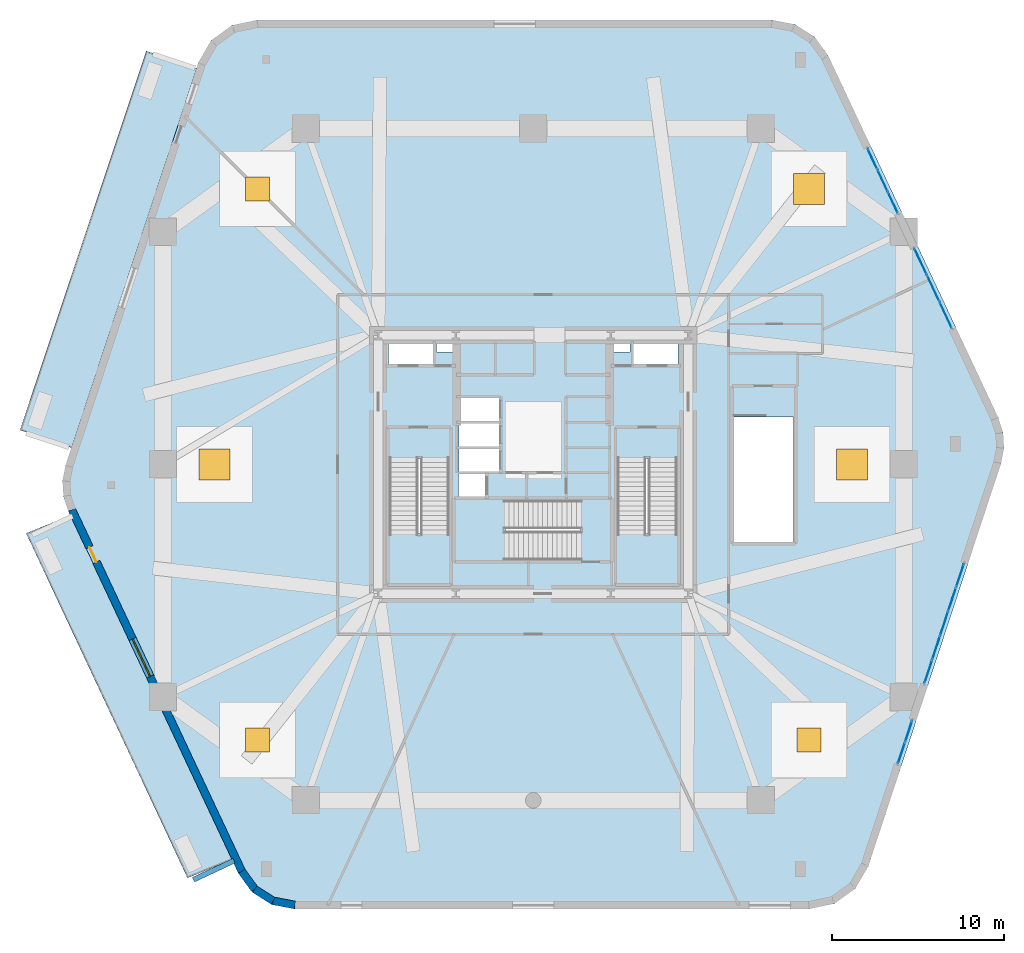
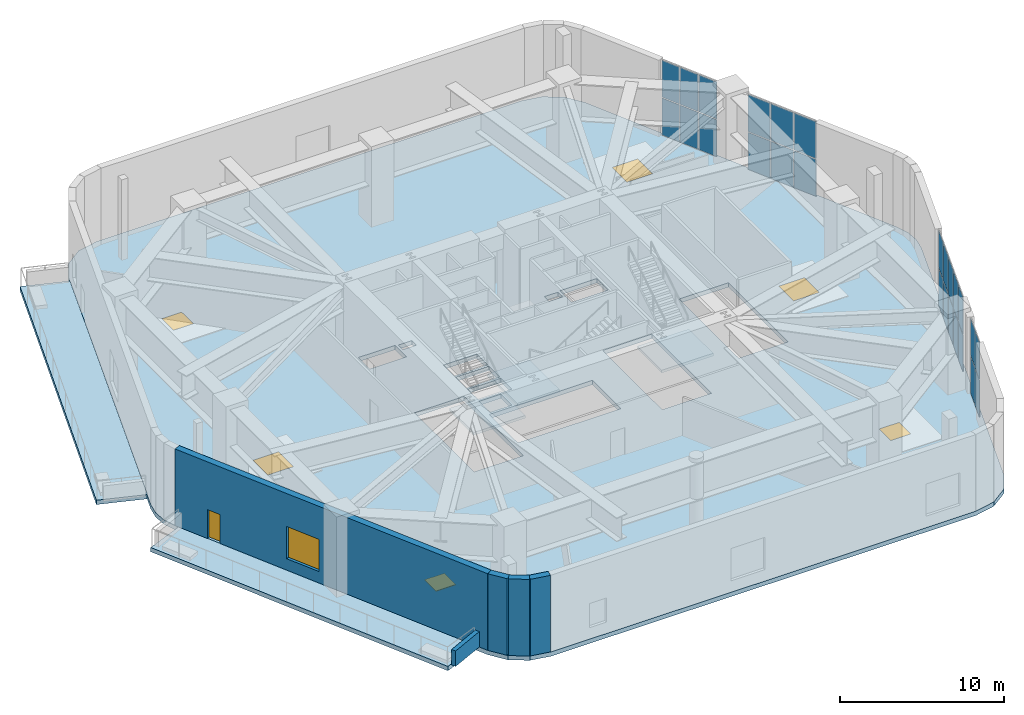
# One storey, part 7 of 14: 26 plates, 7 windows, 6 slabs, 5 walls, 1 door, 8 openings, 7 elements without a shape of their own.
"""IFC4 building model written with IfcOpenShell, lengths in metres."""

from ifc_helpers import new_model, si_unit, direction, frame, frame_2d, origin, origin_2d, place, context, subcontext, project, spatial, polyline, rectangle, outline, extrude, material, layer, layer_set, type_object, element, fill, aggregate, save


model = new_model("IFC4")

# Units and contexts
model_context = context("Model", 3, precision=1e-05, world=origin(), true_north=direction((0.0, 1.0)))
body_context = subcontext(model_context, "Body", "Model", "MODEL_VIEW")
ifc_project = project(units=[si_unit("LENGTHUNIT", "METRE"), si_unit("AREAUNIT", "SQUARE_METRE"), si_unit("VOLUMEUNIT", "CUBIC_METRE"), si_unit("PLANEANGLEUNIT", "RADIAN"), si_unit("MASSUNIT", "GRAM", prefix="KILO")], contexts=[model_context])

# Site, building, storey
site_placement = place(None, origin())
site = spatial("IfcSite", under=ifc_project, at=site_placement, CompositionType="ELEMENT")
building_placement = place(site_placement, origin())
building = spatial("IfcBuilding", under=site, at=building_placement, Name="Kilnhurst Terrace Hotel", CompositionType="ELEMENT")
storey_placement = place(building_placement, frame((0.0, 0.0, 28.199951171875)))
storey = spatial("IfcBuildingStorey", under=building, at=storey_placement, Name="L05", CompositionType="ELEMENT", Elevation=28.199951171875)

# Curtain wall, plates
ifc_material_1 = material(Name="Anodized Aluminium Alloy 6063-T6 and Low-E Glass", Category="aluminium")
ifc_layer_1 = layer(ifc_material_1, 0.219970703125, Name="Anodized Aluminium Alloy 6063-T6 and Low-E Glass")
ifc_layer_set_1 = layer_set([ifc_layer_1], Name="Anodized Aluminium Alloy 6063-T6 and Low-E Glass")
curtain_wall_type = type_object("IfcCurtainWallType", Name="CW-POD-TERR", PredefinedType="NOTDEFINED", material=ifc_layer_set_1)
curtain_wall_1_placement = place(storey_placement, origin())
curtain_wall_1 = element("IfcCurtainWall", 1, at=curtain_wall_1_placement, inside=storey, type_object=curtain_wall_type, Name="L05 Curtain Wall CW-L05-F2-1", PredefinedType="NOTDEFINED")
ifc_material_2 = material(Name="Triple Laminated Low-E Hurricane Insulated Glass", Category="glass")
ifc_layer_2 = layer(ifc_material_2, 0.031982421875, Name="Triple Laminated Low-E Hurricane Insulated Glass")
ifc_layer_set_2 = layer_set([ifc_layer_2], Name="Triple Laminated Low-E Hurricane Insulated Glass")
plate_type = type_object("IfcPlateType", Name="PNL-GLZ-32", PredefinedType="CURTAIN_PANEL", material=ifc_layer_set_2)
plate_1_placement = place(storey_placement, frame((21.379638671875, -16.737548828125, 0.070068359375), z_axis=(0.0, 0.0, 1.0), x_axis=(0.313000990627, 0.949752799347, 0.0)))
plate_1 = element("IfcPlate", 2, at=plate_1_placement, type_object=plate_type, Name="CWT-2 panel 1.1", PredefinedType="CURTAIN_PANEL", context=body_context, shape_type="SweptSolid", body=[
    extrude(rectangle(XDim=1.24853515625, YDim=0.031982421875, at=origin_2d()), origin(), (0.0, 0.0, 1.0), 2.7451171875),
])
plate_2_placement = place(storey_placement, frame((21.379638671875, -16.737548828125, 2.885009765625), z_axis=(0.0, 0.0, 1.0), x_axis=(0.313000990627, 0.949752799347, 0.0)))
plate_2 = element("IfcPlate", 3, at=plate_2_placement, type_object=plate_type, Name="CWT-2 panel 1.2", PredefinedType="CURTAIN_PANEL", context=body_context, shape_type="SweptSolid", body=[
    extrude(rectangle(XDim=1.24853515625, YDim=0.031982421875, at=origin_2d()), origin(), (0.0, 0.0, 1.0), 2.7451171875),
])
plate_3_placement = place(storey_placement, frame((21.79248046875, -15.485107421875, 0.070068359375), z_axis=(0.0, 0.0, 1.0), x_axis=(0.313000990627, 0.949752799347, 0.0)))
plate_3 = element("IfcPlate", 4, at=plate_3_placement, type_object=plate_type, Name="CWT-2 panel 2.1", PredefinedType="CURTAIN_PANEL", context=body_context, shape_type="SweptSolid", body=[
    extrude(rectangle(XDim=1.24853515625, YDim=0.031982421875, at=origin_2d()), origin(), (0.0, 0.0, 1.0), 2.7451171875),
])
plate_4_placement = place(storey_placement, frame((21.79248046875, -15.485107421875, 2.885009765625), z_axis=(0.0, 0.0, 1.0), x_axis=(0.313000990627, 0.949752799347, 0.0)))
plate_4 = element("IfcPlate", 5, at=plate_4_placement, type_object=plate_type, Name="CWT-2 panel 2.2", PredefinedType="CURTAIN_PANEL", context=body_context, shape_type="SweptSolid", body=[
    extrude(rectangle(XDim=1.24853515625, YDim=0.031982421875, at=origin_2d()), origin(), (0.0, 0.0, 1.0), 2.7451171875),
])
aggregate(curtain_wall_1, [plate_1, plate_2, plate_3, plate_4])

curtain_wall_2_placement = place(storey_placement, origin())
curtain_wall_2 = element("IfcCurtainWall", 6, at=curtain_wall_2_placement, inside=storey, type_object=curtain_wall_type, Name="L05 Curtain Wall CW-L05-F2-2", PredefinedType="NOTDEFINED")
plate_5_placement = place(storey_placement, frame((22.934814453125, -12.018310546875, 0.070068359375), z_axis=(0.0, 0.0, 1.0), x_axis=(0.312988254967, 0.949756996422, 0.0)))
plate_5 = element("IfcPlate", 7, at=plate_5_placement, type_object=plate_type, Name="CWT-2 panel 1.1", PredefinedType="CURTAIN_PANEL", context=body_context, shape_type="SweptSolid", body=[
    extrude(rectangle(XDim=1.3720703125, YDim=0.031982421875, at=origin_2d()), origin(), (0.0, 0.0, 1.0), 2.7451171875),
])
plate_6_placement = place(storey_placement, frame((22.934814453125, -12.018310546875, 2.885009765625), z_axis=(0.0, 0.0, 1.0), x_axis=(0.312988254967, 0.949756996422, 0.0)))
plate_6 = element("IfcPlate", 8, at=plate_6_placement, type_object=plate_type, Name="CWT-2 panel 1.2", PredefinedType="CURTAIN_PANEL", context=body_context, shape_type="SweptSolid", body=[
    extrude(rectangle(XDim=1.3720703125, YDim=0.031982421875, at=origin_2d()), origin(), (0.0, 0.0, 1.0), 2.7451171875),
])
plate_7_placement = place(storey_placement, frame((23.3916015625, -10.632080078125, 0.070068359375), z_axis=(0.0, 0.0, 1.0), x_axis=(0.312988254967, 0.949756996422, 0.0)))
plate_7 = element("IfcPlate", 9, at=plate_7_placement, type_object=plate_type, Name="CWT-2 panel 2.1", PredefinedType="CURTAIN_PANEL", context=body_context, shape_type="SweptSolid", body=[
    extrude(rectangle(XDim=1.406982421875, YDim=0.031982421875, at=origin_2d()), origin(), (0.0, 0.0, 1.0), 2.7451171875),
])
plate_8_placement = place(storey_placement, frame((23.3916015625, -10.632080078125, 2.885009765625), z_axis=(0.0, 0.0, 1.0), x_axis=(0.312988254967, 0.949756996422, 0.0)))
plate_8 = element("IfcPlate", 10, at=plate_8_placement, type_object=plate_type, Name="CWT-2 panel 2.2", PredefinedType="CURTAIN_PANEL", context=body_context, shape_type="SweptSolid", body=[
    extrude(rectangle(XDim=1.406982421875, YDim=0.031982421875, at=origin_2d()), origin(), (0.0, 0.0, 1.0), 2.7451171875),
])
plate_9_placement = place(storey_placement, frame((23.85400390625, -9.229248046875, 0.070068359375), z_axis=(0.0, 0.0, 1.0), x_axis=(0.312988254967, 0.949756996422, 0.0)))
plate_9 = element("IfcPlate", 11, at=plate_9_placement, type_object=plate_type, Name="CWT-2 panel 3.1", PredefinedType="CURTAIN_PANEL", context=body_context, shape_type="SweptSolid", body=[
    extrude(rectangle(XDim=1.406982421875, YDim=0.031982421875, at=origin_2d()), origin(), (0.0, 0.0, 1.0), 2.7451171875),
])
plate_10_placement = place(storey_placement, frame((23.85400390625, -9.229248046875, 2.885009765625), z_axis=(0.0, 0.0, 1.0), x_axis=(0.312988254967, 0.949756996422, 0.0)))
plate_10 = element("IfcPlate", 12, at=plate_10_placement, type_object=plate_type, Name="CWT-2 panel 3.2", PredefinedType="CURTAIN_PANEL", context=body_context, shape_type="SweptSolid", body=[
    extrude(rectangle(XDim=1.406982421875, YDim=0.031982421875, at=origin_2d()), origin(), (0.0, 0.0, 1.0), 2.7451171875),
])
plate_11_placement = place(storey_placement, frame((24.316162109375, -7.82666015625, 0.070068359375), z_axis=(0.0, 0.0, 1.0), x_axis=(0.312988254967, 0.949756996422, 0.0)))
plate_11 = element("IfcPlate", 13, at=plate_11_placement, type_object=plate_type, Name="CWT-2 panel 4.1", PredefinedType="CURTAIN_PANEL", context=body_context, shape_type="SweptSolid", body=[
    extrude(rectangle(XDim=1.406982421875, YDim=0.031982421875, at=origin_2d()), origin(), (0.0, 0.0, 1.0), 2.7451171875),
])
plate_12_placement = place(storey_placement, frame((24.316162109375, -7.82666015625, 2.885009765625), z_axis=(0.0, 0.0, 1.0), x_axis=(0.312988254967, 0.949756996422, 0.0)))
plate_12 = element("IfcPlate", 14, at=plate_12_placement, type_object=plate_type, Name="CWT-2 panel 4.2", PredefinedType="CURTAIN_PANEL", context=body_context, shape_type="SweptSolid", body=[
    extrude(rectangle(XDim=1.406982421875, YDim=0.031982421875, at=origin_2d()), origin(), (0.0, 0.0, 1.0), 2.7451171875),
])
plate_13_placement = place(storey_placement, frame((24.773193359375, -6.4404296875, 0.070068359375), z_axis=(0.0, 0.0, 1.0), x_axis=(0.312988254967, 0.949756996422, 0.0)))
plate_13 = element("IfcPlate", 15, at=plate_13_placement, type_object=plate_type, Name="CWT-2 panel 5.1", PredefinedType="CURTAIN_PANEL", context=body_context, shape_type="SweptSolid", body=[
    extrude(rectangle(XDim=1.3720703125, YDim=0.031982421875, at=origin_2d()), origin(), (0.0, 0.0, 1.0), 2.7451171875),
])
plate_14_placement = place(storey_placement, frame((24.773193359375, -6.4404296875, 2.885009765625), z_axis=(0.0, 0.0, 1.0), x_axis=(0.312988254967, 0.949756996422, 0.0)))
plate_14 = element("IfcPlate", 16, at=plate_14_placement, type_object=plate_type, Name="CWT-2 panel 5.2", PredefinedType="CURTAIN_PANEL", context=body_context, shape_type="SweptSolid", body=[
    extrude(rectangle(XDim=1.3720703125, YDim=0.031982421875, at=origin_2d()), origin(), (0.0, 0.0, 1.0), 2.7451171875),
])
aggregate(curtain_wall_2, [plate_5, plate_6, plate_7, plate_8, plate_9, plate_10, plate_11, plate_12, plate_13, plate_14])

curtain_wall_3_placement = place(storey_placement, origin())
curtain_wall_3 = element("IfcCurtainWall", 17, at=curtain_wall_3_placement, inside=storey, type_object=curtain_wall_type, Name="L05 Curtain Wall CW-L05-F3-1", PredefinedType="NOTDEFINED")
plate_15_placement = place(storey_placement, frame((23.941650390625, 8.677001953125, 0.070068359375), z_axis=(0.0, 0.0, 1.0), x_axis=(-0.42520158694, 0.905098674435, 0.0)))
plate_15 = element("IfcPlate", 18, at=plate_15_placement, type_object=plate_type, Name="CWT-2 panel 1.1", PredefinedType="CURTAIN_PANEL", context=body_context, shape_type="SweptSolid", body=[
    extrude(rectangle(XDim=1.623291015625, YDim=0.031982421875, at=origin_2d()), origin(), (0.0, 0.0, 1.0), 2.7451171875),
])
plate_16_placement = place(storey_placement, frame((23.941650390625, 8.677001953125, 2.885009765625), z_axis=(0.0, 0.0, 1.0), x_axis=(-0.42520158694, 0.905098674435, 0.0)))
plate_16 = element("IfcPlate", 19, at=plate_16_placement, type_object=plate_type, Name="CWT-2 panel 1.2", PredefinedType="CURTAIN_PANEL", context=body_context, shape_type="SweptSolid", body=[
    extrude(rectangle(XDim=1.623291015625, YDim=0.031982421875, at=origin_2d()), origin(), (0.0, 0.0, 1.0), 2.7451171875),
])
plate_17_placement = place(storey_placement, frame((23.21435546875, 10.225341796875, 0.070068359375), z_axis=(0.0, 0.0, 1.0), x_axis=(-0.42520158694, 0.905098674435, 0.0)))
plate_17 = element("IfcPlate", 20, at=plate_17_placement, type_object=plate_type, Name="CWT-2 panel 2.1", PredefinedType="CURTAIN_PANEL", context=body_context, shape_type="SweptSolid", body=[
    extrude(rectangle(XDim=1.658447265625, YDim=0.031982421875, at=origin_2d()), origin(), (0.0, 0.0, 1.0), 2.7451171875),
])
plate_18_placement = place(storey_placement, frame((23.21435546875, 10.225341796875, 2.885009765625), z_axis=(0.0, 0.0, 1.0), x_axis=(-0.42520158694, 0.905098674435, 0.0)))
plate_18 = element("IfcPlate", 21, at=plate_18_placement, type_object=plate_type, Name="CWT-2 panel 2.2", PredefinedType="CURTAIN_PANEL", context=body_context, shape_type="SweptSolid", body=[
    extrude(rectangle(XDim=1.658447265625, YDim=0.031982421875, at=origin_2d()), origin(), (0.0, 0.0, 1.0), 2.7451171875),
])
plate_19_placement = place(storey_placement, frame((22.48681640625, 11.77392578125, 0.070068359375), z_axis=(0.0, 0.0, 1.0), x_axis=(-0.42520158694, 0.905098674435, 0.0)))
plate_19 = element("IfcPlate", 22, at=plate_19_placement, type_object=plate_type, Name="CWT-2 panel 3.1", PredefinedType="CURTAIN_PANEL", context=body_context, shape_type="SweptSolid", body=[
    extrude(rectangle(XDim=1.623291015625, YDim=0.031982421875, at=origin_2d()), origin(), (0.0, 0.0, 1.0), 2.7451171875),
])
plate_20_placement = place(storey_placement, frame((22.48681640625, 11.77392578125, 2.885009765625), z_axis=(0.0, 0.0, 1.0), x_axis=(-0.42520158694, 0.905098674435, 0.0)))
plate_20 = element("IfcPlate", 23, at=plate_20_placement, type_object=plate_type, Name="CWT-2 panel 3.2", PredefinedType="CURTAIN_PANEL", context=body_context, shape_type="SweptSolid", body=[
    extrude(rectangle(XDim=1.623291015625, YDim=0.031982421875, at=origin_2d()), origin(), (0.0, 0.0, 1.0), 2.7451171875),
])
aggregate(curtain_wall_3, [plate_15, plate_16, plate_17, plate_18, plate_19, plate_20])

curtain_wall_4_placement = place(storey_placement, origin())
curtain_wall_4 = element("IfcCurtainWall", 24, at=curtain_wall_4_placement, inside=storey, type_object=curtain_wall_type, Name="L05 Curtain Wall CW-L05-F3-2", PredefinedType="NOTDEFINED")
plate_21_placement = place(storey_placement, frame((20.870849609375, 15.21337890625, 0.070068359375), z_axis=(0.0, 0.0, 1.0), x_axis=(-0.425206120691, 0.905096544534, 0.0)))
plate_21 = element("IfcPlate", 25, at=plate_21_placement, type_object=plate_type, Name="CWT-2 panel 1.1", PredefinedType="CURTAIN_PANEL", context=body_context, shape_type="SweptSolid", body=[
    extrude(rectangle(XDim=1.296875, YDim=0.031982421875, at=origin_2d()), origin(), (0.0, 0.0, 1.0), 2.7451171875),
])
plate_22_placement = place(storey_placement, frame((20.870849609375, 15.21337890625, 2.885009765625), z_axis=(0.0, 0.0, 1.0), x_axis=(-0.425206120691, 0.905096544534, 0.0)))
plate_22 = element("IfcPlate", 26, at=plate_22_placement, type_object=plate_type, Name="CWT-2 panel 1.2", PredefinedType="CURTAIN_PANEL", context=body_context, shape_type="SweptSolid", body=[
    extrude(rectangle(XDim=1.296875, YDim=0.031982421875, at=origin_2d()), origin(), (0.0, 0.0, 1.0), 2.7451171875),
])
plate_23_placement = place(storey_placement, frame((20.2822265625, 16.466552734375, 0.070068359375), z_axis=(0.0, 0.0, 1.0), x_axis=(-0.425206120691, 0.905096544534, 0.0)))
plate_23 = element("IfcPlate", 27, at=plate_23_placement, type_object=plate_type, Name="CWT-2 panel 2.1", PredefinedType="CURTAIN_PANEL", context=body_context, shape_type="SweptSolid", body=[
    extrude(rectangle(XDim=1.33203125, YDim=0.031982421875, at=origin_2d()), origin(), (0.0, 0.0, 1.0), 2.7451171875),
])
plate_24_placement = place(storey_placement, frame((20.2822265625, 16.466552734375, 2.885009765625), z_axis=(0.0, 0.0, 1.0), x_axis=(-0.425206120691, 0.905096544534, 0.0)))
plate_24 = element("IfcPlate", 28, at=plate_24_placement, type_object=plate_type, Name="CWT-2 panel 2.2", PredefinedType="CURTAIN_PANEL", context=body_context, shape_type="SweptSolid", body=[
    extrude(rectangle(XDim=1.33203125, YDim=0.031982421875, at=origin_2d()), origin(), (0.0, 0.0, 1.0), 2.7451171875),
])
plate_25_placement = place(storey_placement, frame((19.693603515625, 17.719482421875, 0.070068359375), z_axis=(0.0, 0.0, 1.0), x_axis=(-0.425206120691, 0.905096544534, 0.0)))
plate_25 = element("IfcPlate", 29, at=plate_25_placement, type_object=plate_type, Name="CWT-2 panel 3.1", PredefinedType="CURTAIN_PANEL", context=body_context, shape_type="SweptSolid", body=[
    extrude(rectangle(XDim=1.296875, YDim=0.031982421875, at=origin_2d()), origin(), (0.0, 0.0, 1.0), 2.7451171875),
])
plate_26_placement = place(storey_placement, frame((19.693603515625, 17.719482421875, 2.885009765625), z_axis=(0.0, 0.0, 1.0), x_axis=(-0.425206120691, 0.905096544534, 0.0)))
plate_26 = element("IfcPlate", 30, at=plate_26_placement, type_object=plate_type, Name="CWT-2 panel 3.2", PredefinedType="CURTAIN_PANEL", context=body_context, shape_type="SweptSolid", body=[
    extrude(rectangle(XDim=1.296875, YDim=0.031982421875, at=origin_2d()), origin(), (0.0, 0.0, 1.0), 2.7451171875),
])
aggregate(curtain_wall_4, [plate_21, plate_22, plate_23, plate_24, plate_25, plate_26])

# Slab, openings, windows
ifc_material_3 = material(Name="Concrete C50/60", Category="concrete")
ifc_layer_3 = layer(ifc_material_3, 0.320068359375, Name="Concrete C50/60")
ifc_layer_set_3 = layer_set([ifc_layer_3], Name="Concrete C50/60")
slab_type_1 = type_object("IfcSlabType", Name="SLB-FLR-320", PredefinedType="FLOOR", material=ifc_layer_set_3)
slab_1_placement = place(storey_placement, frame((0.0, 0.0, -0.320068359375)))
slab_1 = element("IfcSlab", 31, at=slab_1_placement, inside=storey, type_object=slab_type_1, Name="L05 Structural Floor Slab", PredefinedType="FLOOR", context=body_context, shape_type="SweptSolid", body=[
    extrude(outline(polyline([(-17.1181640625, -23.730712890625), (-16.3251953125, -24.8232421875), (-15.185791015625, -25.546875), (-13.85986328125, -25.800048828125), (16.02587890625, -25.800048828125), (17.485595703125, -25.49072265625), (18.694580078125, -24.6162109375), (19.445068359375, -23.326904296875), (27.151611328125, 0.058349609375), (27.32470703125, 0.9482421875), (27.27001953125, 1.853271484375), (26.99072265625, 2.7158203125), (17.1181640625, 23.730712890625), (16.3251953125, 24.8232421875), (15.185791015625, 25.546875), (13.85986328125, 25.800048828125), (-16.02587890625, 25.800048828125), (-17.485595703125, 25.49072265625), (-18.694580078125, 24.6162109375), (-19.445068359375, 23.326904296875), (-27.151611328125, -0.058349609375), (-27.32470703125, -0.9482421875), (-27.27001953125, -1.853271484375), (-26.99072265625, -2.7158203125), (-17.1181640625, -23.730712890625)]), holes=[polyline([(-8.35009765625, 0.35498046875), (-4.8798828125, 0.35498046875), (-4.8798828125, -6.89990234375), (-8.35009765625, -6.89990234375), (-8.35009765625, 0.35498046875)]), polyline([(-4.35009765625, -1.89990234375), (-4.35009765625, -0.550048828125), (-2.800048828125, -0.550048828125), (-2.800048828125, -1.89990234375), (-4.35009765625, -1.89990234375)]), polyline([(-4.300048828125, -0.429931640625), (-4.300048828125, 0.89990234375), (-1.949951171875, 0.89990234375), (-1.949951171875, -0.429931640625), (-4.300048828125, -0.429931640625)]), polyline([(-1.949951171875, 1.050048828125), (-4.300048828125, 1.050048828125), (-4.300048828125, 2.3798828125), (-1.949951171875, 2.3798828125), (-1.949951171875, 1.050048828125)]), polyline([(-8.39990234375, 5.75), (-8.39990234375, 7.14990234375), (-5.800048828125, 7.14990234375), (-5.800048828125, 5.75), (-8.39990234375, 5.75)]), polyline([(-5.6201171875, 6.52001953125), (-5.6201171875, 7.080078125), (-4.659912109375, 7.080078125), (-4.659912109375, 6.52001953125), (-5.6201171875, 6.52001953125)]), polyline([(2.7548828125, -2.080078125), (2.7548828125, -5.550048828125), (-4.5, -5.550048828125), (-4.5, -2.080078125), (2.7548828125, -2.080078125)]), polyline([(8.35009765625, 0.35498046875), (8.35009765625, -6.89990234375), (4.8798828125, -6.89990234375), (4.8798828125, 0.35498046875), (8.35009765625, 0.35498046875)]), polyline([(15.1201171875, 2.7548828125), (15.1201171875, -4.5), (11.64990234375, -4.5), (11.64990234375, 2.7548828125), (15.1201171875, 2.7548828125)]), polyline([(-1.949951171875, 2.530029296875), (-4.300048828125, 2.530029296875), (-4.300048828125, 3.860107421875), (-1.949951171875, 3.860107421875), (-1.949951171875, 2.530029296875)]), polyline([(5.800048828125, 5.75), (5.800048828125, 7.14990234375), (8.39990234375, 7.14990234375), (8.39990234375, 5.75), (5.800048828125, 5.75)]), polyline([(4.659912109375, 6.52001953125), (4.659912109375, 7.080078125), (5.6201171875, 7.080078125), (5.6201171875, 6.52001953125), (4.659912109375, 6.52001953125)])]), origin(), (0.0, 0.0, 1.0), 0.320068359375),
])
opening_1_placement = place(slab_1_placement, frame((-16.0, -16.0, -0.010009765625)))
opening_1 = element("IfcOpeningElement", 32, at=opening_1_placement, cuts=slab_1, Name="Opening SK-01", PredefinedType="OPENING", context=body_context, shape_type="SweptSolid", body=[
    extrude(rectangle(XDim=1.39990234375, YDim=1.39990234375, at=origin_2d()), origin(), (0.0, 0.0, 1.0), 0.340087890625),
])
opening_2_placement = place(slab_1_placement, frame((16.0, -16.0, -0.010009765625)))
opening_2 = element("IfcOpeningElement", 33, at=opening_2_placement, cuts=slab_1, Name="Opening SK-01", PredefinedType="OPENING", context=body_context, shape_type="SweptSolid", body=[
    extrude(rectangle(XDim=1.39990234375, YDim=1.39990234375, at=origin_2d()), origin(), (0.0, 0.0, 1.0), 0.340087890625),
])
opening_3_placement = place(slab_1_placement, frame((-16.0, 16.0, -0.010009765625)))
opening_3 = element("IfcOpeningElement", 34, at=opening_3_placement, cuts=slab_1, Name="Opening SK-01", PredefinedType="OPENING", context=body_context, shape_type="SweptSolid", body=[
    extrude(rectangle(XDim=1.39990234375, YDim=1.39990234375, at=origin_2d()), origin(), (0.0, 0.0, 1.0), 0.340087890625),
])
opening_4_placement = place(slab_1_placement, frame((16.0, 16.0, -0.010009765625)))
opening_4 = element("IfcOpeningElement", 35, at=opening_4_placement, cuts=slab_1, Name="Opening SK-02", PredefinedType="OPENING", context=body_context, shape_type="SweptSolid", body=[
    extrude(rectangle(XDim=1.800048828125, YDim=1.800048828125, at=origin_2d()), origin(), (0.0, 0.0, 1.0), 0.340087890625),
])
opening_5_placement = place(slab_1_placement, frame((-18.5, 0.0, -0.010009765625)))
opening_5 = element("IfcOpeningElement", 36, at=opening_5_placement, cuts=slab_1, Name="Opening SK-02", PredefinedType="OPENING", context=body_context, shape_type="SweptSolid", body=[
    extrude(rectangle(XDim=1.800048828125, YDim=1.800048828125, at=origin_2d()), origin(), (0.0, 0.0, 1.0), 0.340087890625),
])
opening_6_placement = place(slab_1_placement, frame((18.5, 0.0, -0.010009765625)))
opening_6 = element("IfcOpeningElement", 37, at=opening_6_placement, cuts=slab_1, Name="Opening SK-02", PredefinedType="OPENING", context=body_context, shape_type="SweptSolid", body=[
    extrude(rectangle(XDim=1.800048828125, YDim=1.800048828125, at=origin_2d()), origin(), (0.0, 0.0, 1.0), 0.340087890625),
])
ifc_material_4 = material(Name="Thermally Broken Bronze Aluminium Alloy 6063-T6 and Low-E Glass", Category="aluminium")
window_type_1 = type_object("IfcWindowType", Name="SKY-1400X1400", PartitioningType="SINGLE_PANEL", PredefinedType="SKYLIGHT", material=ifc_material_4)
window_1_placement = place(slab_1_placement, frame((-16.0, -16.0, 0.27001953125)))
window_1 = element("IfcWindow", 38, at=window_1_placement, inside=storey, type_object=window_type_1, Name="L05 Podium Terrace Access and Daylight Skylight 1", OverallHeight=1.39990234375, OverallWidth=1.39990234375, PartitioningType="SINGLE_PANEL", PredefinedType="SKYLIGHT", context=body_context, shape_type="SweptSolid", body=[
    extrude(rectangle(XDim=1.39990234375, YDim=1.39990234375, at=origin_2d()), origin(), (0.0, 0.0, 1.0), 0.050048828125),
])
fill(opening_1, window_1)
window_2_placement = place(slab_1_placement, frame((16.0, -16.0, 0.27001953125)))
window_2 = element("IfcWindow", 39, at=window_2_placement, inside=storey, type_object=window_type_1, Name="L05 Podium Terrace Access and Daylight Skylight 2", OverallHeight=1.39990234375, OverallWidth=1.39990234375, PartitioningType="SINGLE_PANEL", PredefinedType="SKYLIGHT", context=body_context, shape_type="SweptSolid", body=[
    extrude(rectangle(XDim=1.39990234375, YDim=1.39990234375, at=origin_2d()), origin(), (0.0, 0.0, 1.0), 0.050048828125),
])
fill(opening_2, window_2)
window_3_placement = place(slab_1_placement, frame((-16.0, 16.0, 0.27001953125)))
window_3 = element("IfcWindow", 40, at=window_3_placement, inside=storey, type_object=window_type_1, Name="L05 Podium Terrace Access and Daylight Skylight 3", OverallHeight=1.39990234375, OverallWidth=1.39990234375, PartitioningType="SINGLE_PANEL", PredefinedType="SKYLIGHT", context=body_context, shape_type="SweptSolid", body=[
    extrude(rectangle(XDim=1.39990234375, YDim=1.39990234375, at=origin_2d()), origin(), (0.0, 0.0, 1.0), 0.050048828125),
])
fill(opening_3, window_3)
window_type_2 = type_object("IfcWindowType", Name="SKY-1800X1800", PartitioningType="SINGLE_PANEL", PredefinedType="SKYLIGHT", material=ifc_material_4)
window_4_placement = place(slab_1_placement, frame((16.0, 16.0, 0.27001953125)))
window_4 = element("IfcWindow", 41, at=window_4_placement, inside=storey, type_object=window_type_2, Name="L05 Podium Terrace Access and Daylight Skylight 4", OverallHeight=1.800048828125, OverallWidth=1.800048828125, PartitioningType="SINGLE_PANEL", PredefinedType="SKYLIGHT", context=body_context, shape_type="SweptSolid", body=[
    extrude(rectangle(XDim=1.800048828125, YDim=1.800048828125, at=origin_2d()), origin(), (0.0, 0.0, 1.0), 0.050048828125),
])
fill(opening_4, window_4)
window_5_placement = place(slab_1_placement, frame((-18.5, 0.0, 0.27001953125)))
window_5 = element("IfcWindow", 42, at=window_5_placement, inside=storey, type_object=window_type_2, Name="L05 Podium Terrace Access and Daylight Skylight 5", OverallHeight=1.800048828125, OverallWidth=1.800048828125, PartitioningType="SINGLE_PANEL", PredefinedType="SKYLIGHT", context=body_context, shape_type="SweptSolid", body=[
    extrude(rectangle(XDim=1.800048828125, YDim=1.800048828125, at=origin_2d()), origin(), (0.0, 0.0, 1.0), 0.050048828125),
])
fill(opening_5, window_5)
window_6_placement = place(slab_1_placement, frame((18.5, 0.0, 0.27001953125)))
window_6 = element("IfcWindow", 43, at=window_6_placement, inside=storey, type_object=window_type_2, Name="L05 Podium Terrace Access and Daylight Skylight 6", OverallHeight=1.800048828125, OverallWidth=1.800048828125, PartitioningType="SINGLE_PANEL", PredefinedType="SKYLIGHT", context=body_context, shape_type="SweptSolid", body=[
    extrude(rectangle(XDim=1.800048828125, YDim=1.800048828125, at=origin_2d()), origin(), (0.0, 0.0, 1.0), 0.050048828125),
])
fill(opening_6, window_6)

# Stair, slab
stair_type = type_object("IfcStairType", Name="STR-CORE-1660", PredefinedType="HALF_TURN_STAIR", material=ifc_material_3)
stair_1_placement = place(storey_placement, origin())
stair_1 = element("IfcStair", 44, at=stair_1_placement, inside=storey, type_object=stair_type, Name="L05 ST-1", PredefinedType="HALF_TURN_STAIR")
ifc_layer_4 = layer(ifc_material_3, 0.199951171875, Name="Concrete C50/60")
ifc_layer_set_4 = layer_set([ifc_layer_4], Name="Concrete C50/60")
slab_type_2 = type_object("IfcSlabType", Name="SLB-ST-LND-200", PredefinedType="LANDING", material=ifc_layer_set_4)
slab_2_placement = place(storey_placement, frame((0.0, 0.0, 2.800048828125)))
slab_2 = element("IfcSlab", 45, at=slab_2_placement, type_object=slab_type_2, Name="ST-1 landing 1", PredefinedType="LANDING", context=body_context, shape_type="SweptSolid", body=[
    extrude(outline(polyline([(-8.429931640625, -4.010009765625), (-4.800048828125, -4.010009765625), (-4.800048828125, -6.97998046875), (-8.429931640625, -6.97998046875), (-8.429931640625, -4.010009765625)])), origin(), (0.0, 0.0, 1.0), 0.199951171875),
])
aggregate(stair_1, [slab_2])

stair_2_placement = place(storey_placement, origin())
stair_2 = element("IfcStair", 46, at=stair_2_placement, inside=storey, type_object=stair_type, Name="L05 ST-2", PredefinedType="HALF_TURN_STAIR")
slab_3_placement = place(storey_placement, frame((0.0, 0.0, 2.800048828125)))
slab_3 = element("IfcSlab", 47, at=slab_3_placement, type_object=slab_type_2, Name="ST-2 landing 1", PredefinedType="LANDING", context=body_context, shape_type="SweptSolid", body=[
    extrude(outline(polyline([(4.800048828125, -4.010009765625), (8.429931640625, -4.010009765625), (8.429931640625, -6.97998046875), (4.800048828125, -6.97998046875), (4.800048828125, -4.010009765625)])), origin(), (0.0, 0.0, 1.0), 0.199951171875),
])
aggregate(stair_2, [slab_3])

stair_3_placement = place(storey_placement, origin())
stair_3 = element("IfcStair", 48, at=stair_3_placement, inside=storey, type_object=stair_type, Name="L05 ST-3", PredefinedType="HALF_TURN_STAIR")
slab_4_placement = place(storey_placement, frame((0.0, 0.0, 2.800048828125)))
slab_4 = element("IfcSlab", 49, at=slab_4_placement, type_object=slab_type_2, Name="ST-3 landing 1", PredefinedType="LANDING", context=body_context, shape_type="SweptSolid", body=[
    extrude(outline(polyline([(-1.610107421875, -2.0), (-1.610107421875, -5.6298828125), (-4.580078125, -5.6298828125), (-4.580078125, -2.0), (-1.610107421875, -2.0)])), origin(), (0.0, 0.0, 1.0), 0.199951171875),
])
aggregate(stair_3, [slab_4])

# Slabs
ifc_layer_5 = layer(ifc_material_3, 0.320068359375, Name="Concrete C50/60")
ifc_layer_set_5 = layer_set([ifc_layer_5], Name="Concrete C50/60")
slab_type_3 = type_object("IfcSlabType", Name="SLB-TERR-320", PredefinedType="FLOOR", material=ifc_layer_set_5)
slab_5_placement = place(storey_placement, frame((0.0, 0.0, -0.320068359375)))
element("IfcSlab", 50, at=slab_5_placement, inside=storey, type_object=slab_type_3, Name="L05 Cantilevered Planted Terrace Slab TERR-1", PredefinedType="FLOOR", context=body_context, shape_type="SweptSolid", body=[
    extrude(outline(polyline([(-22.463134765625, 24.0), (-19.534423828125, 22.991943359375), (-26.792724609375, 0.966796875), (-29.794189453125, 2.0), (-22.463134765625, 24.0)])), origin(), (0.0, 0.0, 1.0), 0.320068359375),
])
slab_6_placement = place(storey_placement, frame((0.0, 0.0, -0.320068359375)))
element("IfcSlab", 51, at=slab_6_placement, inside=storey, type_object=slab_type_3, Name="L05 Cantilevered Planted Terrace Slab TERR-2", PredefinedType="FLOOR", context=body_context, shape_type="SweptSolid", body=[
    extrude(outline(polyline([(-26.859619140625, -2.9482421875), (-17.468994140625, -22.936767578125), (-20.0703125, -24.0), (-29.432861328125, -4.0), (-26.859619140625, -2.9482421875)])), origin(), (0.0, 0.0, 1.0), 0.320068359375),
])

# Walls
ifc_material_5 = material(Name="Precast concrete C40/50", Category="concrete")
ifc_layer_6 = layer(ifc_material_5, 0.449951171875, Name="Precast concrete C40/50")
ifc_layer_set_6 = layer_set([ifc_layer_6], Name="Precast concrete C40/50")
wall_type_1 = type_object("IfcWallType", Name="WL-BRK-450", PredefinedType="SOLIDWALL", material=ifc_layer_set_6)
wall_1_placement = place(storey_placement, frame((-16.923583984375, -23.61572265625, 0.0), z_axis=(0.0, 0.0, 1.0), x_axis=(0.587471507827, -0.809244850148, 0.0)))
element("IfcWall", 52, at=wall_1_placement, inside=storey, type_object=wall_type_1, Name="L05 Rounded Corner Brick Wall C1.1", PredefinedType="SOLIDWALL", context=body_context, shape_type="SweptSolid", body=[
    extrude(rectangle(XDim=1.285888671875, YDim=0.449951171875, at=frame_2d((0.64306640625, 0.0))), origin(), (0.0, 0.0, 1.0), 5.699951171875),
])
wall_2_placement = place(storey_placement, frame((-16.168212890625, -24.65625, 0.0), z_axis=(0.0, 0.0, 1.0), x_axis=(0.844090705307, -0.536200411426, 0.0)))
element("IfcWall", 53, at=wall_2_placement, inside=storey, type_object=wall_type_1, Name="L05 Rounded Corner Brick Wall C1.2", PredefinedType="SOLIDWALL", context=body_context, shape_type="SweptSolid", body=[
    extrude(rectangle(XDim=1.263916015625, YDim=0.449951171875, at=frame_2d((0.6318359375, 0.0))), origin(), (0.0, 0.0, 1.0), 5.699951171875),
])
wall_3_placement = place(storey_placement, frame((-15.101318359375, -25.333984375, 0.0), z_axis=(0.0, 0.0, 1.0), x_axis=(0.982280348181, -0.18741749539, 0.0)))
element("IfcWall", 54, at=wall_3_placement, inside=storey, type_object=wall_type_1, Name="L05 Rounded Corner Brick Wall C1.3", PredefinedType="SOLIDWALL", context=body_context, shape_type="SweptSolid", body=[
    extrude(rectangle(XDim=1.28564453125, YDim=0.449951171875, at=frame_2d((0.642822265625, 0.0))), origin(), (0.0, 0.0, 1.0), 5.699951171875),
])

# Wall, openings, door, window
wall_4_placement = place(storey_placement, frame((-26.781005859375, -2.633056640625, 0.0), z_axis=(0.0, 0.0, 1.0), x_axis=(0.425204576933, -0.905097269776, 0.0)))
wall_4 = element("IfcWall", 55, at=wall_4_placement, inside=storey, type_object=wall_type_1, Name="L05 Exterior Brick Facade Wall F6", PredefinedType="SOLIDWALL", context=body_context, shape_type="SweptSolid", body=[
    extrude(rectangle(XDim=23.182861328125, YDim=0.449951171875, at=frame_2d((11.59130859375, 0.0))), origin(), (0.0, 0.0, 1.0), 5.699951171875),
])
opening_7_placement = place(wall_4_placement, frame((2.39794921875, 0.0, 0.0)))
opening_7 = element("IfcOpeningElement", 56, at=opening_7_placement, cuts=wall_4, Name="Opening BD-950", PredefinedType="OPENING", context=body_context, shape_type="SweptSolid", body=[
    extrude(rectangle(XDim=0.949951171875, YDim=2.14990234375, at=frame_2d((0.47509765625, 1.074951171875))), frame((0.0, 0.23486328125, 0.0), z_axis=(0.0, -1.0, 0.0), x_axis=(1.0, 0.0, 0.0)), (0.0, 0.0, 1.0), 0.469970703125),
])
opening_8_placement = place(wall_4_placement, frame((8.283935546875, 0.0, 0.85009765625)))
opening_8 = element("IfcOpeningElement", 57, at=opening_8_placement, cuts=wall_4, Name="Opening W-07", PredefinedType="OPENING", context=body_context, shape_type="SweptSolid", body=[
    extrude(rectangle(XDim=2.39990234375, YDim=2.39990234375, at=frame_2d((1.199951171875, 1.199951171875))), frame((0.0, 0.23486328125, 0.0), z_axis=(0.0, -1.0, 0.0), x_axis=(1.0, 0.0, 0.0)), (0.0, 0.0, 1.0), 0.469970703125),
])
ifc_material_6 = material(Name="Thermally Broken Bronze Aluminium Alloy 6063-T6 and Laminated Glass", Category="aluminium")
door_type = type_object("IfcDoorType", Name="DR-EXT-BAL-950", OperationType="NOTDEFINED", PredefinedType="DOOR", material=ifc_material_6)
door_placement = place(opening_7_placement, origin())
door = element("IfcDoor", 58, at=door_placement, inside=storey, type_object=door_type, Name="L05 Planted Balcony Door TERR-2", OperationType="SINGLE_SWING_RIGHT", OverallHeight=2.14990234375, OverallWidth=0.949951171875, PredefinedType="DOOR", context=body_context, shape_type="SweptSolid", body=[
    extrude(rectangle(XDim=0.949951171875, YDim=2.14990234375, at=frame_2d((0.47509765625, 1.074951171875))), frame((0.0, 0.02490234375, 0.0), z_axis=(0.0, -1.0, 0.0), x_axis=(1.0, 0.0, 0.0)), (0.0, 0.0, 1.0), 0.050048828125),
])
fill(opening_7, door)
window_type_3 = type_object("IfcWindowType", Name="WIN-2400X2400", PartitioningType="SINGLE_PANEL", PredefinedType="WINDOW", material=ifc_material_4)
window_7_placement = place(opening_8_placement, origin())
window_7 = element("IfcWindow", 59, at=window_7_placement, inside=storey, type_object=window_type_3, Name="L05 Deep-Set Masonry Window F6.1", OverallHeight=2.39990234375, OverallWidth=2.39990234375, PartitioningType="SINGLE_PANEL", PredefinedType="WINDOW", context=body_context, shape_type="SweptSolid", body=[
    extrude(rectangle(XDim=2.39990234375, YDim=2.39990234375, at=frame_2d((1.199951171875, 1.199951171875))), frame((0.0, 0.030029296875, 0.0), z_axis=(0.0, -1.0, 0.0), x_axis=(1.0, 0.0, 0.0)), (0.0, 0.0, 1.0), 0.06005859375),
])
fill(opening_8, window_7)

# Wall
ifc_layer_7 = layer(ifc_material_5, 0.300048828125, Name="Precast concrete C40/50")
ifc_layer_set_7 = layer_set([ifc_layer_7], Name="Precast concrete C40/50")
wall_type_2 = type_object("IfcWallType", Name="WL-PAR-300", PredefinedType="PARAPET", material=ifc_layer_set_7)
wall_5_placement = place(storey_placement, frame((-17.373291015625, -23.0, 0.0), z_axis=(0.0, 0.0, 1.0), x_axis=(-0.905107909211, -0.425181928925, 0.0)))
element("IfcWall", 60, at=wall_5_placement, inside=storey, type_object=wall_type_2, Name="L05 Terrace End Parapet Wall TERR-2.2", PredefinedType="PARAPET", context=body_context, shape_type="SweptSolid", body=[
    extrude(rectangle(XDim=2.60009765625, YDim=0.300048828125, at=frame_2d((1.300048828125, 0.0))), origin(), (0.0, 0.0, 1.0), 1.150146484375),
])

save(model, "model.ifc")
